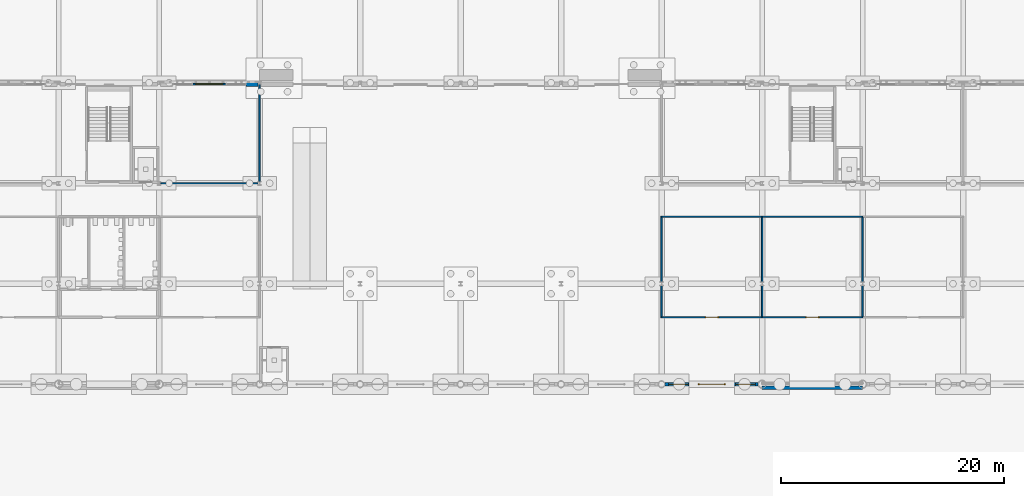
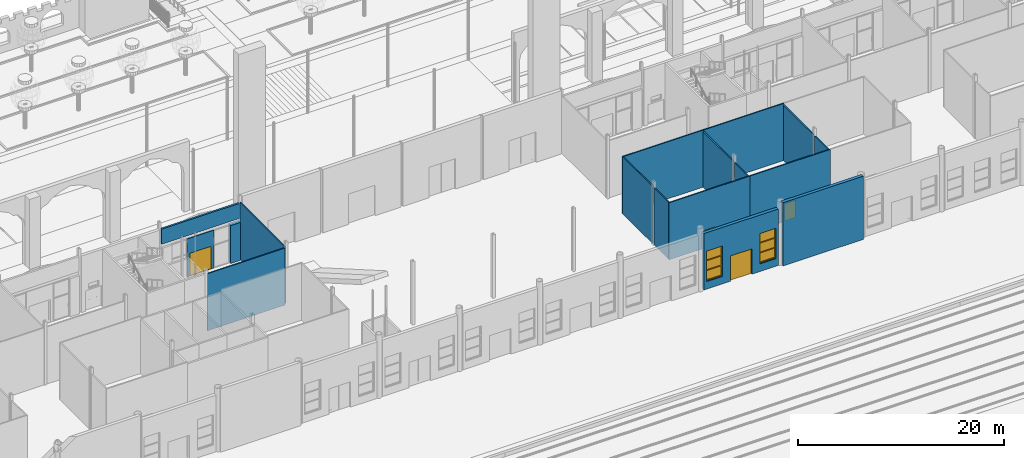
# One storey, part 125 of 250: 17 walls, 4 doors, 2 windows, 6 openings.
"""IFC4 building model written with IfcOpenShell, lengths in metres."""

from ifc_helpers import new_model, si_unit, direction, frame, frame_2d, origin, place, context, subcontext, project, spatial, polyline, rectangle, outline, extrude, material, layer, layer_set, type_object, element, fill, save


model = new_model("IFC4")

# Units and contexts
model_context = context("Model", 3, precision=1e-05, world=origin(), true_north=direction((0.0, 1.0)))
body_context = subcontext(model_context, "Body", "Model", "MODEL_VIEW")
ifc_project = project(units=[si_unit("LENGTHUNIT", "METRE"), si_unit("AREAUNIT", "SQUARE_METRE"), si_unit("VOLUMEUNIT", "CUBIC_METRE"), si_unit("PLANEANGLEUNIT", "RADIAN"), si_unit("MASSUNIT", "GRAM", prefix="KILO")], contexts=[model_context])

# Site, building, storey
site_placement = place(None, origin())
site = spatial("IfcSite", under=ifc_project, at=site_placement, CompositionType="ELEMENT")
building_placement = place(site_placement, origin())
building = spatial("IfcBuilding", under=site, at=building_placement, Name="Baradari Gate Terminus", CompositionType="ELEMENT")
storey_placement = place(building_placement, origin())
storey = spatial("IfcBuildingStorey", under=building, at=storey_placement, Name="L00", CompositionType="ELEMENT", Elevation=0.0)

# Walls
ifc_material_1 = material(Name="Sandstone masonry", Category="masonry")
ifc_layer_1 = layer(ifc_material_1, 0.199951171875)
ifc_layer_set_1 = layer_set([ifc_layer_1], Name="Sandstone masonry")
wall_type_1 = type_object("IfcWallType", Name="Arcade infill wall WA-1 200", PredefinedType="SOLIDWALL", material=ifc_layer_set_1)
wall_1_placement = place(storey_placement, frame((126.128173828125, 107.87841796875, 4.89990234375), z_axis=(0.0, 0.0, 1.0), x_axis=(1.0, 0.0, 0.0)))
element("IfcWall", 1, at=wall_1_placement, inside=storey, type_object=wall_type_1, Name="Arcade tympanum wall bay 14 L00", PredefinedType="SOLIDWALL", context=body_context, shape_type="SweptSolid", body=[
    extrude(rectangle(XDim=8.74365234375, YDim=0.199951171875, at=frame_2d((4.371826171875, 0.0))), origin(), (0.0, 0.0, 1.0), 1.792236328125),
])
ifc_material_2 = material(Name="Gypsum board")
ifc_layer_2 = layer(ifc_material_2, 0.125)
ifc_layer_set_2 = layer_set([ifc_layer_2], Name="Gypsum board")
wall_type_2 = type_object("IfcWallType", Name="Corridor partition PT-5 125 EI 30", PredefinedType="PARTITIONING", material=ifc_layer_set_2)
wall_2_placement = place(storey_placement, frame((126.15380859375, 99.0, 0.0), z_axis=(0.0, 0.0, 1.0), x_axis=(1.0, 0.0, 0.0)))
element("IfcWall", 2, at=wall_2_placement, inside=storey, type_object=wall_type_2, Name="PT-5 partition Corridor (Service Corridor West) / Shop 03", PredefinedType="PARTITIONING", context=body_context, shape_type="SweptSolid", body=[
    extrude(rectangle(XDim=8.6923828125, YDim=0.125, at=frame_2d((4.34619140625, 0.0))), origin(), (0.0, 0.0, 1.0), 6.757080078125),
])
wall_3_placement = place(storey_placement, frame((180.0, 96.0, 0.0), z_axis=(0.0, 0.0, 1.0), x_axis=(-1.0, 0.0, 0.0)))
element("IfcWall", 3, at=wall_3_placement, inside=storey, type_object=wall_type_2, Name="PT-5 partition Corridor (Service Corridor East) / Information and Customer Service Office", PredefinedType="PARTITIONING", context=body_context, shape_type="SweptSolid", body=[
    extrude(rectangle(XDim=9.0625, YDim=0.125, at=frame_2d((4.53125, 0.0))), origin(), (0.0, 0.0, 1.0), 6.757080078125),
])
wall_4_placement = place(storey_placement, frame((189.0, 96.0, 0.0), z_axis=(0.0, 0.0, 1.0), x_axis=(-1.0, 0.0, 0.0)))
element("IfcWall", 4, at=wall_4_placement, inside=storey, type_object=wall_type_2, Name="PT-5 partition Corridor (Service Corridor East) / Station Control Room", PredefinedType="PARTITIONING", context=body_context, shape_type="SweptSolid", body=[
    extrude(rectangle(XDim=9.0, YDim=0.125, at=frame_2d((4.5, 0.0))), origin(), (0.0, 0.0, 1.0), 6.757080078125),
])

# Wall, opening, door
wall_5_placement = place(storey_placement, frame((170.9375, 87.0, 0.0), z_axis=(0.0, 0.0, 1.0), x_axis=(1.0, 0.0, 0.0)))
wall_5 = element("IfcWall", 5, at=wall_5_placement, inside=storey, type_object=wall_type_2, Name="PT-5 partition Corridor (Platform Passage East) / Information and Customer Service Office", PredefinedType="PARTITIONING", context=body_context, shape_type="SweptSolid", body=[
    extrude(rectangle(XDim=9.0625, YDim=0.125, at=frame_2d((4.53125, 0.0))), origin(), (0.0, 0.0, 1.0), 6.757080078125),
])
opening_1_placement = place(wall_5_placement, frame((3.96240234375, 0.0, 0.0)))
opening_1 = element("IfcOpeningElement", 6, at=opening_1_placement, cuts=wall_5, Name="Opening D00-111", PredefinedType="OPENING", context=body_context, shape_type="SweptSolid", body=[
    extrude(rectangle(XDim=1.199951171875, YDim=2.10009765625, at=frame_2d((0.60009765625, 1.050048828125))), frame((0.0, 0.072509765625, 0.0), z_axis=(0.0, -1.0, 0.0), x_axis=(1.0, 0.0, 0.0)), (0.0, 0.0, 1.0), 0.14501953125),
])
ifc_material_3 = material(Name="Steel S275", Category="steel")
door_type_1 = type_object("IfcDoorType", Name="Fire door FI-1200-FD30S 1200x2100 FD30S", OperationType="DOUBLE_DOOR_SINGLE_SWING", PredefinedType="DOOR", material=ifc_material_3)
door_1_placement = place(opening_1_placement, origin())
door_1 = element("IfcDoor", 7, at=door_1_placement, inside=storey, type_object=door_type_1, Name="Door Information and Customer Service Office", OperationType="DOUBLE_DOOR_SINGLE_SWING", OverallHeight=2.1, OverallWidth=1.2, PredefinedType="DOOR", context=body_context, shape_type="SweptSolid", body=[
    extrude(outline(polyline([(0.0, 0.0), (0.070068359375, 0.0), (0.070068359375, 2.030029296875), (1.1298828125, 2.030029296875), (1.1298828125, 0.0), (1.199951171875, 0.0), (1.199951171875, 2.10009765625), (0.0, 2.10009765625), (0.0, 0.0)])), frame((0.0, 0.02490234375, 0.0), z_axis=(0.0, -1.0, 0.0), x_axis=(1.0, 0.0, 0.0)), (0.0, 0.0, 1.0), 0.050048828125),
    extrude(outline(polyline([(0.073974609375, 0.010009765625), (0.596923828125, 0.010009765625), (0.596923828125, 2.026123046875), (0.073974609375, 2.026123046875), (0.073974609375, 0.010009765625)]), holes=[polyline([(0.178466796875, 0.372802734375), (0.492431640625, 0.372802734375), (0.492431640625, 1.7841796875), (0.178466796875, 1.7841796875), (0.178466796875, 0.372802734375)])]), frame((0.0, 0.017333984375, 0.0), z_axis=(0.0, -1.0, 0.0), x_axis=(1.0, 0.0, 0.0)), (0.0, 0.0, 1.0), 0.034912109375),
    extrude(rectangle(XDim=0.31396484375, YDim=1.411376953125, at=frame_2d((0.33544921875, 1.07861328125))), frame((0.0, 0.008544921875, 0.0), z_axis=(0.0, -1.0, 0.0), x_axis=(1.0, 0.0, 0.0)), (0.0, 0.0, 1.0), 0.017333984375),
    extrude(outline(polyline([(0.60302734375, 0.010009765625), (1.1259765625, 0.010009765625), (1.1259765625, 2.026123046875), (0.60302734375, 2.026123046875), (0.60302734375, 0.010009765625)]), holes=[polyline([(0.70751953125, 0.372802734375), (1.021484375, 0.372802734375), (1.021484375, 1.7841796875), (0.70751953125, 1.7841796875), (0.70751953125, 0.372802734375)])]), frame((0.0, 0.017333984375, 0.0), z_axis=(0.0, -1.0, 0.0), x_axis=(1.0, 0.0, 0.0)), (0.0, 0.0, 1.0), 0.034912109375),
    extrude(rectangle(XDim=0.31396484375, YDim=1.411376953125, at=frame_2d((0.864501953125, 1.07861328125))), frame((0.0, 0.008544921875, 0.0), z_axis=(0.0, -1.0, 0.0), x_axis=(1.0, 0.0, 0.0)), (0.0, 0.0, 1.0), 0.017333984375),
])
fill(opening_1, door_1)

wall_6_placement = place(storey_placement, frame((180.0, 87.0, 0.0), z_axis=(0.0, 0.0, 1.0), x_axis=(1.0, 0.0, 0.0)))
wall_6 = element("IfcWall", 8, at=wall_6_placement, inside=storey, type_object=wall_type_2, Name="PT-5 partition Corridor (Platform Passage East) / Station Control Room", PredefinedType="PARTITIONING", context=body_context, shape_type="SweptSolid", body=[
    extrude(rectangle(XDim=9.0, YDim=0.125, at=frame_2d((4.5, 0.0))), origin(), (0.0, 0.0, 1.0), 6.757080078125),
])
opening_2_placement = place(wall_6_placement, frame((3.89990234375, 0.0, 0.0)))
opening_2 = element("IfcOpeningElement", 9, at=opening_2_placement, cuts=wall_6, Name="Opening D00-112", PredefinedType="OPENING", context=body_context, shape_type="SweptSolid", body=[
    extrude(rectangle(XDim=1.199951171875, YDim=2.10009765625, at=frame_2d((0.60009765625, 1.050048828125))), frame((0.0, 0.072509765625, 0.0), z_axis=(0.0, -1.0, 0.0), x_axis=(1.0, 0.0, 0.0)), (0.0, 0.0, 1.0), 0.14501953125),
])
ifc_material_4 = material(Name="Steel S275", Category="steel")
door_type_2 = type_object("IfcDoorType", Name="Fire door FI-1200-FD60S 1200x2100 FD60S", OperationType="DOUBLE_DOOR_SINGLE_SWING", PredefinedType="DOOR", material=ifc_material_4)
door_2_placement = place(opening_2_placement, origin())
door_2 = element("IfcDoor", 10, at=door_2_placement, inside=storey, type_object=door_type_2, Name="Door Station Control Room", OperationType="DOUBLE_DOOR_SINGLE_SWING", OverallHeight=2.1, OverallWidth=1.2, PredefinedType="DOOR", context=body_context, shape_type="SweptSolid", body=[
    extrude(outline(polyline([(0.0, 0.0), (0.070068359375, 0.0), (0.070068359375, 2.030029296875), (1.1298828125, 2.030029296875), (1.1298828125, 0.0), (1.199951171875, 0.0), (1.199951171875, 2.10009765625), (0.0, 2.10009765625), (0.0, 0.0)])), frame((0.0, 0.02490234375, 0.0), z_axis=(0.0, -1.0, 0.0), x_axis=(1.0, 0.0, 0.0)), (0.0, 0.0, 1.0), 0.050048828125),
    extrude(outline(polyline([(0.073974609375, 0.010009765625), (0.596923828125, 0.010009765625), (0.596923828125, 2.026123046875), (0.073974609375, 2.026123046875), (0.073974609375, 0.010009765625)]), holes=[polyline([(0.178466796875, 0.372802734375), (0.492431640625, 0.372802734375), (0.492431640625, 1.7841796875), (0.178466796875, 1.7841796875), (0.178466796875, 0.372802734375)])]), frame((0.0, 0.017333984375, 0.0), z_axis=(0.0, -1.0, 0.0), x_axis=(1.0, 0.0, 0.0)), (0.0, 0.0, 1.0), 0.034912109375),
    extrude(rectangle(XDim=0.31396484375, YDim=1.411376953125, at=frame_2d((0.33544921875, 1.07861328125))), frame((0.0, 0.008544921875, 0.0), z_axis=(0.0, -1.0, 0.0), x_axis=(1.0, 0.0, 0.0)), (0.0, 0.0, 1.0), 0.017333984375),
    extrude(outline(polyline([(0.60302734375, 0.010009765625), (1.1259765625, 0.010009765625), (1.1259765625, 2.026123046875), (0.60302734375, 2.026123046875), (0.60302734375, 0.010009765625)]), holes=[polyline([(0.70751953125, 0.372802734375), (1.021484375, 0.372802734375), (1.021484375, 1.7841796875), (0.70751953125, 1.7841796875), (0.70751953125, 0.372802734375)])]), frame((0.0, 0.017333984375, 0.0), z_axis=(0.0, -1.0, 0.0), x_axis=(1.0, 0.0, 0.0)), (0.0, 0.0, 1.0), 0.034912109375),
    extrude(rectangle(XDim=0.31396484375, YDim=1.411376953125, at=frame_2d((0.864501953125, 1.07861328125))), frame((0.0, 0.008544921875, 0.0), z_axis=(0.0, -1.0, 0.0), x_axis=(1.0, 0.0, 0.0)), (0.0, 0.0, 1.0), 0.017333984375),
])
fill(opening_2, door_2)

# Walls
wall_7_placement = place(storey_placement, frame((171.0, 95.9375, 0.0), z_axis=(0.0, 0.0, 1.0), x_axis=(0.0, -1.0, 0.0)))
element("IfcWall", 11, at=wall_7_placement, inside=storey, type_object=wall_type_2, Name="PT-5 partition Ticket Hall / Information and Customer Service Office", PredefinedType="PARTITIONING", context=body_context, shape_type="SweptSolid", body=[
    extrude(rectangle(XDim=5.7802734375, YDim=0.125, at=frame_2d((2.89013671875, 0.0))), origin(), (0.0, 0.0, 1.0), 6.757080078125),
])
wall_8_placement = place(storey_placement, frame((135.0, 99.1572265625, 0.0), z_axis=(0.0, 0.0, 1.0), x_axis=(0.0, 1.0, 0.0)))
element("IfcWall", 12, at=wall_8_placement, inside=storey, type_object=wall_type_2, Name="PT-5 partition Ticket Hall / Shop 03", PredefinedType="PARTITIONING", context=body_context, shape_type="SweptSolid", body=[
    extrude(rectangle(XDim=8.712646484375, YDim=0.125, at=frame_2d((4.3564453125, 0.0))), origin(), (0.0, 0.0, 1.0), 6.757080078125),
])
wall_9_placement = place(storey_placement, frame((171.0, 89.8427734375, 0.0), z_axis=(0.0, 0.0, 1.0), x_axis=(0.0, -1.0, 0.0)))
element("IfcWall", 13, at=wall_9_placement, inside=storey, type_object=wall_type_2, Name="PT-5 partition Ticket Hall (Barrier Line) / Information and Customer Service Office", PredefinedType="PARTITIONING", context=body_context, shape_type="SweptSolid", body=[
    extrude(rectangle(XDim=2.7802734375, YDim=0.125, at=frame_2d((1.39013671875, 0.0))), origin(), (0.0, 0.0, 1.0), 6.757080078125),
])

# Wall, opening, door
ifc_material_5 = material(Name="Laminated glass in aluminium frame", Category="aluminium")
ifc_layer_3 = layer(ifc_material_5, 0.14990234375)
ifc_layer_set_3 = layer_set([ifc_layer_3], Name="Laminated glass in aluminium frame")
wall_type_3 = type_object("IfcWallType", Name="Glazed entrance screen WG-1 150", PredefinedType="ELEMENTEDWALL", material=ifc_layer_set_3)
wall_10_placement = place(storey_placement, frame((129.0, 107.87841796875, 0.0), z_axis=(0.0, 0.0, 1.0), x_axis=(1.0, 0.0, 0.0)))
wall_10 = element("IfcWall", 14, at=wall_10_placement, inside=storey, type_object=wall_type_3, Name="Glazed entrance screen HN bay 14 L00", PredefinedType="ELEMENTEDWALL", context=body_context, shape_type="SweptSolid", body=[
    extrude(rectangle(XDim=3.0, YDim=0.14990234375, at=frame_2d((1.5, 0.0))), origin(), (0.0, 0.0, 1.0), 4.5),
])
opening_3_placement = place(wall_10_placement, frame((0.300048828125, 0.0, 0.0)))
opening_3 = element("IfcOpeningElement", 15, at=opening_3_placement, cuts=wall_10, Name="Opening D00-020", PredefinedType="OPENING", context=body_context, shape_type="SweptSolid", body=[
    extrude(rectangle(XDim=2.39990234375, YDim=2.699951171875, at=frame_2d((1.199951171875, 1.35009765625))), frame((0.0, 0.0849609375, 0.0), z_axis=(0.0, -1.0, 0.0), x_axis=(1.0, 0.0, 0.0)), (0.0, 0.0, 1.0), 0.169921875),
])
ifc_material_6 = material(Name="Aluminium 6063-T6", Category="aluminium")
door_type_3 = type_object("IfcDoorType", Name="Shop entrance door pair, glazed DT-2 2400x2700", OperationType="DOUBLE_DOOR_DOUBLE_SWING", PredefinedType="DOOR", material=ifc_material_6)
door_3_placement = place(opening_3_placement, origin())
door_3 = element("IfcDoor", 16, at=door_3_placement, inside=storey, type_object=door_type_3, Name="Entrance door Shop 03", OperationType="DOUBLE_DOOR_SINGLE_SWING", OverallHeight=2.7, OverallWidth=2.4, PredefinedType="DOOR", context=body_context, shape_type="SweptSolid", body=[
    extrude(outline(polyline([(0.0, 0.0), (0.070068359375, 0.0), (0.070068359375, 2.6298828125), (2.329833984375, 2.6298828125), (2.329833984375, 0.0), (2.39990234375, 0.0), (2.39990234375, 2.699951171875), (0.0, 2.699951171875), (0.0, 0.0)])), frame((0.0, 0.02490234375, 0.0), z_axis=(0.0, -1.0, 0.0), x_axis=(1.0, 0.0, 0.0)), (0.0, 0.0, 1.0), 0.050048828125),
    extrude(outline(polyline([(0.073974609375, 0.010009765625), (1.19677734375, 0.010009765625), (1.19677734375, 2.6259765625), (0.073974609375, 2.6259765625), (0.073974609375, 0.010009765625)]), holes=[polyline([(0.1640625, 0.31005859375), (1.10693359375, 0.31005859375), (1.10693359375, 2.535888671875), (0.1640625, 2.535888671875), (0.1640625, 0.31005859375)])]), frame((0.0, 0.017333984375, 0.0), z_axis=(0.0, -1.0, 0.0), x_axis=(1.0, 0.0, 0.0)), (0.0, 0.0, 1.0), 0.034912109375),
    extrude(rectangle(XDim=0.94287109375, YDim=2.225830078125, at=frame_2d((0.635498046875, 1.4228515625))), frame((0.0, 0.005859375, 0.0), z_axis=(0.0, -1.0, 0.0), x_axis=(1.0, 0.0, 0.0)), (0.0, 0.0, 1.0), 0.011962890625),
    extrude(outline(polyline([(1.203125, 0.010009765625), (2.325927734375, 0.010009765625), (2.325927734375, 2.6259765625), (1.203125, 2.6259765625), (1.203125, 0.010009765625)]), holes=[polyline([(1.29296875, 0.31005859375), (2.23583984375, 0.31005859375), (2.23583984375, 2.535888671875), (1.29296875, 2.535888671875), (1.29296875, 0.31005859375)])]), frame((0.0, 0.017333984375, 0.0), z_axis=(0.0, -1.0, 0.0), x_axis=(1.0, 0.0, 0.0)), (0.0, 0.0, 1.0), 0.034912109375),
    extrude(rectangle(XDim=0.94287109375, YDim=2.225830078125, at=frame_2d((1.764404296875, 1.4228515625))), frame((0.0, 0.005859375, 0.0), z_axis=(0.0, -1.0, 0.0), x_axis=(1.0, 0.0, 0.0)), (0.0, 0.0, 1.0), 0.011962890625),
])
fill(opening_3, door_3)

# Walls
ifc_material_7 = material(Name="Laterite masonry", Category="masonry")
ifc_layer_4 = layer(ifc_material_7, 0.449951171875)
ifc_layer_set_4 = layer_set([ifc_layer_4], Name="Laterite masonry")
wall_type_4 = type_object("IfcWallType", Name="Laterite masonry pier WC-1 450", PredefinedType="SOLIDWALL", material=ifc_layer_set_4)
wall_11_placement = place(storey_placement, frame((133.800048828125, 107.87841796875, 0.0), z_axis=(0.0, 0.0, 1.0), x_axis=(1.0, 0.0, 0.0)))
element("IfcWall", 17, at=wall_11_placement, inside=storey, type_object=wall_type_4, Name="Stone-clad pier HN bay 14 L00", PredefinedType="SOLIDWALL", context=body_context, shape_type="SweptSolid", body=[
    extrude(rectangle(XDim=1.07177734375, YDim=0.449951171875, at=frame_2d((0.535888671875, 0.0))), origin(), (0.0, 0.0, 1.0), 4.5),
])
ifc_material_8 = material(Name="Blockwork wall, plastered", Category="masonry")
ifc_layer_5 = layer(ifc_material_8, 0.14990234375)
ifc_layer_set_5 = layer_set([ifc_layer_5], Name="Blockwork wall, plastered")
wall_type_5 = type_object("IfcWallType", Name="Partition PT-2 150 EI 60", PredefinedType="PARTITIONING", material=ifc_layer_set_5)
wall_12_placement = place(storey_placement, frame((180.0, 95.9375, 0.0), z_axis=(0.0, 0.0, 1.0), x_axis=(0.0, -1.0, 0.0)))
element("IfcWall", 18, at=wall_12_placement, inside=storey, type_object=wall_type_5, Name="PT-2 partition Information and Customer Service Office / Station Control Room", PredefinedType="PARTITIONING", context=body_context, shape_type="SweptSolid", body=[
    extrude(rectangle(XDim=5.7802734375, YDim=0.14990234375, at=frame_2d((2.89013671875, 0.0))), origin(), (0.0, 0.0, 1.0), 6.60009765625),
])
wall_13_placement = place(storey_placement, frame((180.0, 89.8427734375, 0.0), z_axis=(0.0, 0.0, 1.0), x_axis=(0.0, -1.0, 0.0)))
element("IfcWall", 19, at=wall_13_placement, inside=storey, type_object=wall_type_5, Name="PT-2 partition Information and Customer Service Office / Station Control Room", PredefinedType="PARTITIONING", context=body_context, shape_type="SweptSolid", body=[
    extrude(rectangle(XDim=2.7802734375, YDim=0.14990234375, at=frame_2d((1.39013671875, 0.0))), origin(), (0.0, 0.0, 1.0), 6.60009765625),
])
wall_14_placement = place(storey_placement, frame((189.0, 95.9375, 0.0), z_axis=(0.0, 0.0, 1.0), x_axis=(0.0, -1.0, 0.0)))
element("IfcWall", 20, at=wall_14_placement, inside=storey, type_object=wall_type_5, Name="PT-2 partition Station Control Room / First Aid Room", PredefinedType="PARTITIONING", context=body_context, shape_type="SweptSolid", body=[
    extrude(rectangle(XDim=5.7802734375, YDim=0.14990234375, at=frame_2d((2.89013671875, 0.0))), origin(), (0.0, 0.0, 1.0), 6.60009765625),
])
wall_15_placement = place(storey_placement, frame((189.0, 89.8427734375, 0.0), z_axis=(0.0, 0.0, 1.0), x_axis=(0.0, -1.0, 0.0)))
element("IfcWall", 21, at=wall_15_placement, inside=storey, type_object=wall_type_5, Name="PT-2 partition Station Control Room / First Aid Room", PredefinedType="PARTITIONING", context=body_context, shape_type="SweptSolid", body=[
    extrude(rectangle(XDim=2.7802734375, YDim=0.14990234375, at=frame_2d((1.39013671875, 0.0))), origin(), (0.0, 0.0, 1.0), 6.60009765625),
])

# Wall, openings, door, windows
ifc_material_9 = material(Name="Sandstone masonry", Category="masonry")
ifc_layer_6 = layer(ifc_material_9, 0.35009765625)
ifc_layer_set_6 = layer_set([ifc_layer_6], Name="Sandstone masonry")
wall_type_6 = type_object("IfcWallType", Name="Sandstone masonry wall WS-1 350", PredefinedType="SOLIDWALL", material=ifc_layer_set_6)
wall_16_placement = place(storey_placement, frame((171.304931640625, 81.0, 0.0), z_axis=(0.0, 0.0, 1.0), x_axis=(1.0, 0.0, 0.0)))
wall_16 = element("IfcWall", 22, at=wall_16_placement, inside=storey, type_object=wall_type_6, Name="platform side HS bay 20 L00", PredefinedType="SOLIDWALL", context=body_context, shape_type="SweptSolid", body=[
    extrude(rectangle(XDim=8.339599609375, YDim=0.35009765625, at=frame_2d((4.169921875, 0.0))), origin(), (0.0, 0.0, 1.0), 6.692138671875),
])
opening_4_placement = place(wall_16_placement, frame((2.9951171875, 0.0, 0.0)))
opening_4 = element("IfcOpeningElement", 23, at=opening_4_placement, cuts=wall_16, Name="Opening D00-040", PredefinedType="OPENING", context=body_context, shape_type="SweptSolid", body=[
    extrude(rectangle(XDim=2.39990234375, YDim=3.0, at=frame_2d((1.199951171875, 1.5))), frame((0.0, 0.18505859375, 0.0), z_axis=(0.0, -1.0, 0.0), x_axis=(1.0, 0.0, 0.0)), (0.0, 0.0, 1.0), 0.3701171875),
])
opening_5_placement = place(wall_16_placement, frame((0.294921875, 0.0, 0.89990234375)))
opening_5 = element("IfcOpeningElement", 24, at=opening_5_placement, cuts=wall_16, Name="Opening W3", PredefinedType="OPENING", context=body_context, shape_type="SweptSolid", body=[
    extrude(rectangle(XDim=1.800048828125, YDim=3.60009765625, at=frame_2d((0.89990234375, 1.800048828125))), frame((0.0, 0.18505859375, 0.0), z_axis=(0.0, -1.0, 0.0), x_axis=(1.0, 0.0, 0.0)), (0.0, 0.0, 1.0), 0.3701171875),
])
opening_6_placement = place(wall_16_placement, frame((6.294921875, 0.0, 0.89990234375)))
opening_6 = element("IfcOpeningElement", 25, at=opening_6_placement, cuts=wall_16, Name="Opening W3", PredefinedType="OPENING", context=body_context, shape_type="SweptSolid", body=[
    extrude(rectangle(XDim=1.800048828125, YDim=3.60009765625, at=frame_2d((0.89990234375, 1.800048828125))), frame((0.0, 0.18505859375, 0.0), z_axis=(0.0, -1.0, 0.0), x_axis=(1.0, 0.0, 0.0)), (0.0, 0.0, 1.0), 0.3701171875),
])
ifc_material_10 = material(Name="Aluminium 6063-T6", Category="aluminium")
door_type_4 = type_object("IfcDoorType", Name="Platform door pair, glazed DT-7 2400x3000", OperationType="DOUBLE_DOOR_SINGLE_SWING", PredefinedType="DOOR", material=ifc_material_10)
door_4_placement = place(opening_4_placement, frame((2.39990234375, 0.0, 0.0), z_axis=(0.0, 0.0, 1.0), x_axis=(-1.0, 0.0, 0.0)))
door_4 = element("IfcDoor", 26, at=door_4_placement, inside=storey, type_object=door_type_4, Name="Exit door Corridor (Platform Passage East)", OperationType="DOUBLE_DOOR_SINGLE_SWING", OverallHeight=3.0, OverallWidth=2.4, PredefinedType="DOOR", context=body_context, shape_type="SweptSolid", body=[
    extrude(outline(polyline([(0.0, 0.0), (0.070068359375, 0.0), (0.070068359375, 2.929931640625), (2.329833984375, 2.929931640625), (2.329833984375, 0.0), (2.39990234375, 0.0), (2.39990234375, 3.0), (0.0, 3.0), (0.0, 0.0)])), frame((0.0, 0.02490234375, 0.0), z_axis=(0.0, -1.0, 0.0), x_axis=(1.0, 0.0, 0.0)), (0.0, 0.0, 1.0), 0.050048828125),
    extrude(outline(polyline([(0.073974609375, 0.010009765625), (1.19677734375, 0.010009765625), (1.19677734375, 2.926025390625), (0.073974609375, 2.926025390625), (0.073974609375, 0.010009765625)]), holes=[polyline([(0.1640625, 0.31005859375), (1.10693359375, 0.31005859375), (1.10693359375, 2.8359375), (0.1640625, 2.8359375), (0.1640625, 0.31005859375)])]), frame((0.0, 0.017333984375, 0.0), z_axis=(0.0, -1.0, 0.0), x_axis=(1.0, 0.0, 0.0)), (0.0, 0.0, 1.0), 0.034912109375),
    extrude(rectangle(XDim=0.94287109375, YDim=2.52587890625, at=frame_2d((0.635498046875, 1.572998046875))), frame((0.0, 0.005859375, 0.0), z_axis=(0.0, -1.0, 0.0), x_axis=(1.0, 0.0, 0.0)), (0.0, 0.0, 1.0), 0.011962890625),
    extrude(outline(polyline([(1.203125, 0.010009765625), (2.325927734375, 0.010009765625), (2.325927734375, 2.926025390625), (1.203125, 2.926025390625), (1.203125, 0.010009765625)]), holes=[polyline([(1.29296875, 0.31005859375), (2.23583984375, 0.31005859375), (2.23583984375, 2.8359375), (1.29296875, 2.8359375), (1.29296875, 0.31005859375)])]), frame((0.0, 0.017333984375, 0.0), z_axis=(0.0, -1.0, 0.0), x_axis=(1.0, 0.0, 0.0)), (0.0, 0.0, 1.0), 0.034912109375),
    extrude(rectangle(XDim=0.94287109375, YDim=2.52587890625, at=frame_2d((1.764404296875, 1.572998046875))), frame((0.0, 0.005859375, 0.0), z_axis=(0.0, -1.0, 0.0), x_axis=(1.0, 0.0, 0.0)), (0.0, 0.0, 1.0), 0.011962890625),
])
fill(opening_4, door_4)
ifc_material_11 = material(Name="Aluminium 6063-T6", Category="aluminium")
window_type = type_object("IfcWindowType", Name="Tall window, 3-light W3 1800x3600", PartitioningType="TRIPLE_PANEL_HORIZONTAL", PredefinedType="WINDOW", material=ifc_material_11)
window_1_placement = place(opening_5_placement, origin())
window_1 = element("IfcWindow", 27, at=window_1_placement, inside=storey, type_object=window_type, Name="Window W3 HS/19", OverallHeight=3.6, OverallWidth=1.8, PartitioningType="TRIPLE_PANEL_HORIZONTAL", PredefinedType="WINDOW", context=body_context, shape_type="SweptSolid", body=[
    extrude(outline(polyline([(0.0, 0.0), (1.800048828125, 0.0), (1.800048828125, 3.60009765625), (0.0, 3.60009765625), (0.0, 0.0)]), holes=[polyline([(0.070068359375, 0.070068359375), (1.72998046875, 0.070068359375), (1.72998046875, 3.530029296875), (0.070068359375, 3.530029296875), (0.070068359375, 0.070068359375)])]), frame((0.0, 0.030029296875, 0.0), z_axis=(0.0, -1.0, 0.0), x_axis=(1.0, 0.0, 0.0)), (0.0, 0.0, 1.0), 0.06005859375),
    extrude(rectangle(XDim=1.659912109375, YDim=0.0400390625, at=frame_2d((0.89990234375, 1.216796875))), frame((0.0, 0.021484375, 0.0), z_axis=(0.0, -1.0, 0.0), x_axis=(1.0, 0.0, 0.0)), (0.0, 0.0, 1.0), 0.04296875),
    extrude(rectangle(XDim=1.659912109375, YDim=0.0400390625, at=frame_2d((0.89990234375, 2.38330078125))), frame((0.0, 0.021484375, 0.0), z_axis=(0.0, -1.0, 0.0), x_axis=(1.0, 0.0, 0.0)), (0.0, 0.0, 1.0), 0.04296875),
    extrude(outline(polyline([(0.070068359375, 0.070068359375), (1.72998046875, 0.070068359375), (1.72998046875, 1.19677734375), (0.070068359375, 1.19677734375), (0.070068359375, 0.070068359375)]), holes=[polyline([(0.10009765625, 0.10009765625), (1.699951171875, 0.10009765625), (1.699951171875, 1.166748046875), (0.10009765625, 1.166748046875), (0.10009765625, 0.10009765625)])]), frame((0.0, 0.0224609375, 0.0), z_axis=(0.0, -1.0, 0.0), x_axis=(1.0, 0.0, 0.0)), (0.0, 0.0, 1.0), 0.044921875),
    extrude(rectangle(XDim=1.599853515625, YDim=1.066650390625, at=frame_2d((0.89990234375, 0.63330078125))), frame((0.0, 0.006103515625, 0.0), z_axis=(0.0, -1.0, 0.0), x_axis=(1.0, 0.0, 0.0)), (0.0, 0.0, 1.0), 0.01220703125),
    extrude(outline(polyline([(0.070068359375, 1.23681640625), (1.72998046875, 1.23681640625), (1.72998046875, 2.36328125), (0.070068359375, 2.36328125), (0.070068359375, 1.23681640625)]), holes=[polyline([(0.10009765625, 1.266845703125), (1.699951171875, 1.266845703125), (1.699951171875, 2.333251953125), (0.10009765625, 2.333251953125), (0.10009765625, 1.266845703125)])]), frame((0.0, 0.0224609375, 0.0), z_axis=(0.0, -1.0, 0.0), x_axis=(1.0, 0.0, 0.0)), (0.0, 0.0, 1.0), 0.044921875),
    extrude(rectangle(XDim=1.599853515625, YDim=1.06640625, at=frame_2d((0.89990234375, 1.800048828125))), frame((0.0, 0.006103515625, 0.0), z_axis=(0.0, -1.0, 0.0), x_axis=(1.0, 0.0, 0.0)), (0.0, 0.0, 1.0), 0.01220703125),
    extrude(outline(polyline([(0.070068359375, 2.4033203125), (1.72998046875, 2.4033203125), (1.72998046875, 3.530029296875), (0.070068359375, 3.530029296875), (0.070068359375, 2.4033203125)]), holes=[polyline([(0.10009765625, 2.433349609375), (1.699951171875, 2.433349609375), (1.699951171875, 3.5), (0.10009765625, 3.5), (0.10009765625, 2.433349609375)])]), frame((0.0, 0.0224609375, 0.0), z_axis=(0.0, -1.0, 0.0), x_axis=(1.0, 0.0, 0.0)), (0.0, 0.0, 1.0), 0.044921875),
    extrude(rectangle(XDim=1.599853515625, YDim=1.066650390625, at=frame_2d((0.89990234375, 2.966796875))), frame((0.0, 0.006103515625, 0.0), z_axis=(0.0, -1.0, 0.0), x_axis=(1.0, 0.0, 0.0)), (0.0, 0.0, 1.0), 0.01220703125),
])
fill(opening_5, window_1)
window_2_placement = place(opening_6_placement, origin())
window_2 = element("IfcWindow", 28, at=window_2_placement, inside=storey, type_object=window_type, Name="Window W3 HS/19", OverallHeight=3.6, OverallWidth=1.8, PartitioningType="TRIPLE_PANEL_HORIZONTAL", PredefinedType="WINDOW", context=body_context, shape_type="SweptSolid", body=[
    extrude(outline(polyline([(0.0, 0.0), (1.800048828125, 0.0), (1.800048828125, 3.60009765625), (0.0, 3.60009765625), (0.0, 0.0)]), holes=[polyline([(0.070068359375, 0.070068359375), (1.72998046875, 0.070068359375), (1.72998046875, 3.530029296875), (0.070068359375, 3.530029296875), (0.070068359375, 0.070068359375)])]), frame((0.0, 0.030029296875, 0.0), z_axis=(0.0, -1.0, 0.0), x_axis=(1.0, 0.0, 0.0)), (0.0, 0.0, 1.0), 0.06005859375),
    extrude(rectangle(XDim=1.659912109375, YDim=0.0400390625, at=frame_2d((0.89990234375, 1.216796875))), frame((0.0, 0.021484375, 0.0), z_axis=(0.0, -1.0, 0.0), x_axis=(1.0, 0.0, 0.0)), (0.0, 0.0, 1.0), 0.04296875),
    extrude(rectangle(XDim=1.659912109375, YDim=0.0400390625, at=frame_2d((0.89990234375, 2.38330078125))), frame((0.0, 0.021484375, 0.0), z_axis=(0.0, -1.0, 0.0), x_axis=(1.0, 0.0, 0.0)), (0.0, 0.0, 1.0), 0.04296875),
    extrude(outline(polyline([(0.070068359375, 0.070068359375), (1.72998046875, 0.070068359375), (1.72998046875, 1.19677734375), (0.070068359375, 1.19677734375), (0.070068359375, 0.070068359375)]), holes=[polyline([(0.10009765625, 0.10009765625), (1.699951171875, 0.10009765625), (1.699951171875, 1.166748046875), (0.10009765625, 1.166748046875), (0.10009765625, 0.10009765625)])]), frame((0.0, 0.0224609375, 0.0), z_axis=(0.0, -1.0, 0.0), x_axis=(1.0, 0.0, 0.0)), (0.0, 0.0, 1.0), 0.044921875),
    extrude(rectangle(XDim=1.599853515625, YDim=1.066650390625, at=frame_2d((0.89990234375, 0.63330078125))), frame((0.0, 0.006103515625, 0.0), z_axis=(0.0, -1.0, 0.0), x_axis=(1.0, 0.0, 0.0)), (0.0, 0.0, 1.0), 0.01220703125),
    extrude(outline(polyline([(0.070068359375, 1.23681640625), (1.72998046875, 1.23681640625), (1.72998046875, 2.36328125), (0.070068359375, 2.36328125), (0.070068359375, 1.23681640625)]), holes=[polyline([(0.10009765625, 1.266845703125), (1.699951171875, 1.266845703125), (1.699951171875, 2.333251953125), (0.10009765625, 2.333251953125), (0.10009765625, 1.266845703125)])]), frame((0.0, 0.0224609375, 0.0), z_axis=(0.0, -1.0, 0.0), x_axis=(1.0, 0.0, 0.0)), (0.0, 0.0, 1.0), 0.044921875),
    extrude(rectangle(XDim=1.599853515625, YDim=1.06640625, at=frame_2d((0.89990234375, 1.800048828125))), frame((0.0, 0.006103515625, 0.0), z_axis=(0.0, -1.0, 0.0), x_axis=(1.0, 0.0, 0.0)), (0.0, 0.0, 1.0), 0.01220703125),
    extrude(outline(polyline([(0.070068359375, 2.4033203125), (1.72998046875, 2.4033203125), (1.72998046875, 3.530029296875), (0.070068359375, 3.530029296875), (0.070068359375, 2.4033203125)]), holes=[polyline([(0.10009765625, 2.433349609375), (1.699951171875, 2.433349609375), (1.699951171875, 3.5), (0.10009765625, 3.5), (0.10009765625, 2.433349609375)])]), frame((0.0, 0.0224609375, 0.0), z_axis=(0.0, -1.0, 0.0), x_axis=(1.0, 0.0, 0.0)), (0.0, 0.0, 1.0), 0.044921875),
    extrude(rectangle(XDim=1.599853515625, YDim=1.066650390625, at=frame_2d((0.89990234375, 2.966796875))), frame((0.0, 0.006103515625, 0.0), z_axis=(0.0, -1.0, 0.0), x_axis=(1.0, 0.0, 0.0)), (0.0, 0.0, 1.0), 0.01220703125),
])
fill(opening_6, window_2)

# Wall
wall_17_placement = place(storey_placement, frame((180.0, 80.68994140625, 0.0), z_axis=(0.0, 0.0, 1.0), x_axis=(1.0, 0.0, 0.0)))
element("IfcWall", 29, at=wall_17_placement, inside=storey, type_object=wall_type_6, Name="External wall platform side bay 20 L00", PredefinedType="SOLIDWALL", context=body_context, shape_type="SweptSolid", body=[
    extrude(rectangle(XDim=9.0, YDim=0.35009765625, at=frame_2d((4.5, 0.0))), origin(), (0.0, 0.0, 1.0), 7.5),
])

save(model, "model.ifc")
